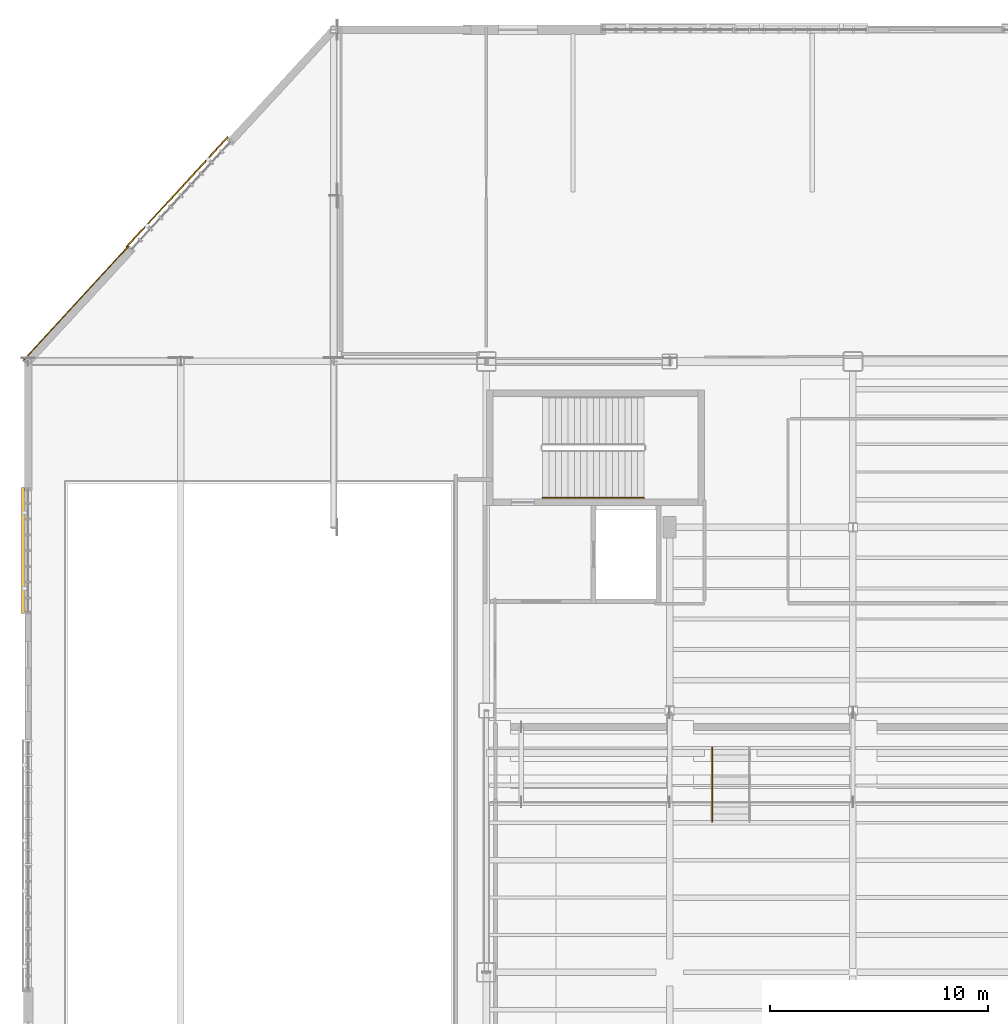
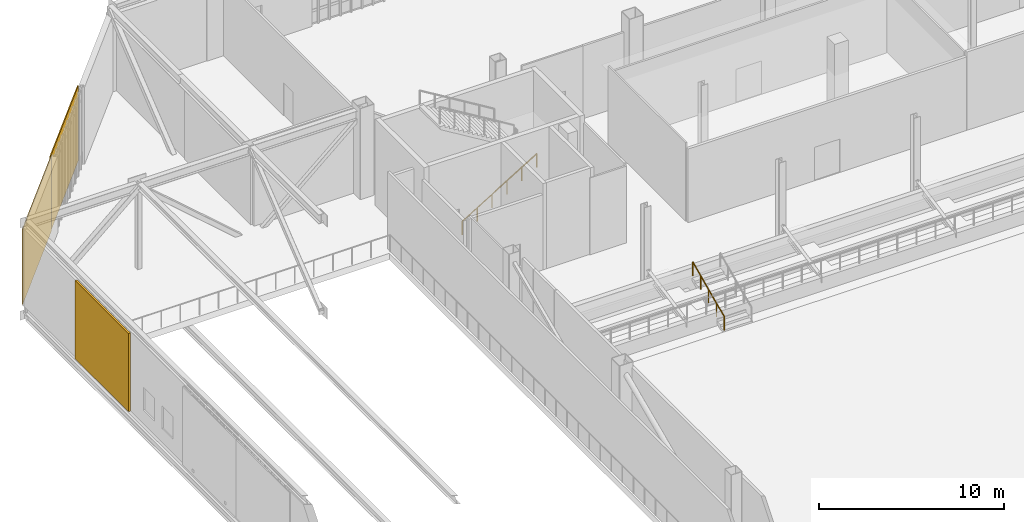
# One storey, part 128 of 135: 2 railings, 2 shading devices, 1 covering.
"""IFC4 building model written with IfcOpenShell, lengths in metres."""

from ifc_helpers import new_model, si_unit, direction, frame, origin, origin_2d, place, context, subcontext, project, spatial, rectangle, circle, extrude, material, layer, layer_set, type_object, element, save


model = new_model("IFC4")

# Units and contexts
model_context = context("Model", 3, precision=1e-05, world=origin(), true_north=direction((0.0, 1.0)))
body_context = subcontext(model_context, "Body", "Model", "MODEL_VIEW")
ifc_project = project(units=[si_unit("LENGTHUNIT", "METRE"), si_unit("AREAUNIT", "SQUARE_METRE"), si_unit("VOLUMEUNIT", "CUBIC_METRE"), si_unit("PLANEANGLEUNIT", "RADIAN"), si_unit("MASSUNIT", "GRAM", prefix="KILO")], contexts=[model_context])

# Site, building, storey
site_placement = place(None, origin())
site = spatial("IfcSite", under=ifc_project, at=site_placement, CompositionType="ELEMENT")
building_placement = place(site_placement, origin())
building = spatial("IfcBuilding", under=site, at=building_placement, Name="Larkvane Passage Sports Hall", CompositionType="ELEMENT")
storey_placement = place(building_placement, frame((0.0, 0.0, 10.800048828125)))
storey = spatial("IfcBuildingStorey", under=building, at=storey_placement, Name="L02", CompositionType="ELEMENT", Elevation=10.800048828125)

# Covering
ifc_material_1 = material(Name="Perforated anodised aluminium 5052-H32", Category="aluminium")
ifc_layer_1 = layer(ifc_material_1, 0.050048828125)
ifc_layer_set_1 = layer_set([ifc_layer_1], Name="Perforated anodised aluminium 5052-H32")
covering_type = type_object("IfcCoveringType", Name="COV-MESH-VEIL", PredefinedType="CLADDING", material=ifc_layer_set_1)
covering_placement = place(storey_placement, frame((15.988037109375, 94.26708984375, 0.0751953125), z_axis=(0.0, 0.0, 1.0), x_axis=(0.677475754753, 0.735545105158, 0.0)))
element("IfcCovering", 1, at=covering_placement, inside=storey, type_object=covering_type, Name="Perforated cladding cassette L02-156", PredefinedType="CLADDING", context=body_context, shape_type="SweptSolid", body=[
    extrude(rectangle(XDim=7.11962890625, YDim=0.050048828125, at=origin_2d()), origin(), (0.0, 0.0, 1.0), 4.929931640625),
])

# Railings
ifc_material_2 = material(Name="Stainless steel S355JR", Category="steel")
railing_type = type_object("IfcRailingType", Name="RL-HAND-920", PredefinedType="HANDRAIL", material=ifc_material_2)
railing_1_placement = place(storey_placement, frame((37.3798828125, 85.35009765625, 0.176513671875)))
element("IfcRailing", 2, at=railing_1_placement, inside=storey, type_object=railing_type, Name="L02 ST-02 stair handrail 1", PredefinedType="HANDRAIL", context=body_context, shape_type="SweptSolid", body=[
    extrude(circle(Radius=0.02392578125, at=origin_2d()), frame((0.001708984375, 0.0, 0.876953125), z_axis=(0.854275794217, 0.0, 0.51982003368), x_axis=(0.0, 1.0, 0.0)), (0.0, 0.0, 1.0), 5.427734375),
    extrude(circle(Radius=0.02099609375, at=origin_2d()), origin(), (0.0, 0.0, 1.0), 0.851806640625),
    extrude(circle(Radius=0.02099609375, at=origin_2d()), frame((0.927978515625, 0.0, 0.564697265625)), (0.0, 0.0, 1.0), 0.851806640625),
    extrude(circle(Radius=0.02099609375, at=origin_2d()), frame((1.85595703125, 0.0, 1.12939453125)), (0.0, 0.0, 1.0), 0.851806640625),
    extrude(circle(Radius=0.02099609375, at=origin_2d()), frame((2.7841796875, 0.0, 1.694091796875)), (0.0, 0.0, 1.0), 0.851806640625),
    extrude(circle(Radius=0.02099609375, at=origin_2d()), frame((3.712158203125, 0.0, 2.2587890625)), (0.0, 0.0, 1.0), 0.851806640625),
    extrude(circle(Radius=0.02099609375, at=origin_2d()), frame((4.64013671875, 0.0, 2.823486328125)), (0.0, 0.0, 1.0), 0.851806640625),
])
railing_2_placement = place(storey_placement, frame((45.14990234375, 70.510009765625, 0.153564453125)))
element("IfcRailing", 3, at=railing_2_placement, inside=storey, type_object=railing_type, Name="Spectator stair handrail ST-B3-L", PredefinedType="HANDRAIL", context=body_context, shape_type="SweptSolid", body=[
    extrude(circle(Radius=0.02392578125, at=origin_2d()), frame((0.0, 0.001708984375, 0.876708984375), z_axis=(0.0, 0.91127635095, 0.411795352329), x_axis=(-1.0, 0.0, 0.0)), (0.0, 0.0, 1.0), 3.726806640625),
    extrude(circle(Radius=0.02099609375, at=origin_2d()), origin(), (0.0, 0.0, 1.0), 0.851806640625),
    extrude(circle(Radius=0.02099609375, at=origin_2d()), frame((0.0, 0.85009765625, 0.384033203125)), (0.0, 0.0, 1.0), 0.851806640625),
    extrude(circle(Radius=0.02099609375, at=origin_2d()), frame((0.0, 1.699951171875, 0.76806640625)), (0.0, 0.0, 1.0), 0.851806640625),
    extrude(circle(Radius=0.02099609375, at=origin_2d()), frame((0.0, 2.5498046875, 1.15234375)), (0.0, 0.0, 1.0), 0.851806640625),
    extrude(circle(Radius=0.02099609375, at=origin_2d()), frame((0.0, 3.39990234375, 1.536376953125)), (0.0, 0.0, 1.0), 0.851806640625),
])

# Shading devices
ifc_material_3 = material(Name="Extruded aluminium 6063-T6", Category="aluminium")
ifc_layer_2 = layer(ifc_material_3, 0.1201171875)
ifc_layer_set_2 = layer_set([ifc_layer_2], Name="Extruded aluminium 6063-T6")
shading_device_type_1 = type_object("IfcShadingDeviceType", Name="SHD-LOUVRE-STORM", PredefinedType="JALOUSIE", material=ifc_layer_set_2)
shading_device_1_placement = place(storey_placement, frame((13.56005859375, 82.933349609375, 0.06005859375), z_axis=(0.0, 0.0, 1.0), x_axis=(0.0, 1.0, 0.0)))
element("IfcShadingDevice", 4, at=shading_device_1_placement, inside=storey, type_object=shading_device_type_1, Name="Solar veil screen L02-066", PredefinedType="JALOUSIE", context=body_context, shape_type="SweptSolid", body=[
    extrude(rectangle(XDim=5.77783203125, YDim=0.1201171875, at=origin_2d()), origin(), (0.0, 0.0, 1.0), 5.157958984375),
])
ifc_layer_3 = layer(ifc_material_1, 0.06005859375)
ifc_layer_set_3 = layer_set([ifc_layer_3], Name="Perforated anodised aluminium 5052-H32")
shading_device_type_2 = type_object("IfcShadingDeviceType", Name="SHD-VEIL-PERF", PredefinedType="SHUTTER", material=ifc_layer_set_3)
shading_device_2_placement = place(storey_placement, frame((20.62353515625, 99.362548828125, 0.06005859375), z_axis=(0.0, 0.0, 1.0), x_axis=(0.677475754753, 0.735545105158, 0.0)))
element("IfcShadingDevice", 5, at=shading_device_2_placement, inside=storey, type_object=shading_device_type_2, Name="Solar veil screen L02-067", PredefinedType="SHUTTER", context=body_context, shape_type="SweptSolid", body=[
    extrude(rectangle(XDim=6.888427734375, YDim=0.06005859375, at=origin_2d()), origin(), (0.0, 0.0, 1.0), 4.9599609375),
])

save(model, "model.ifc")
